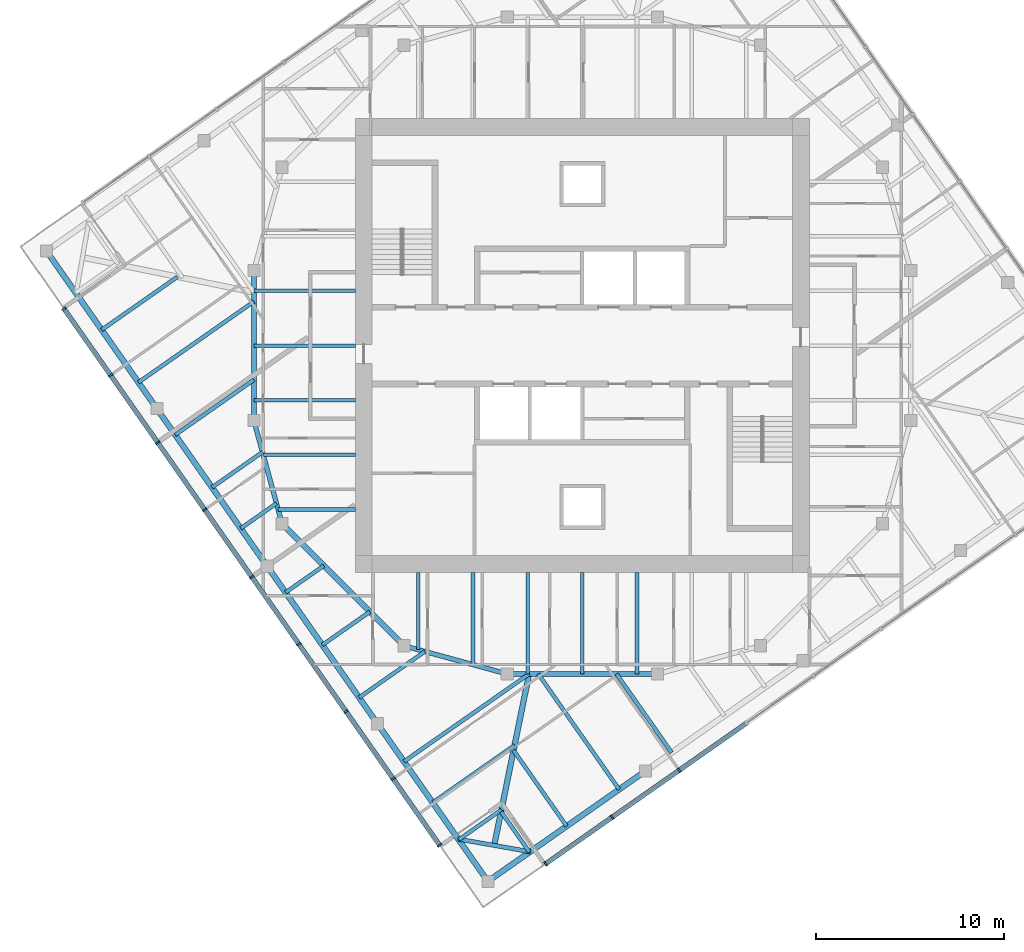
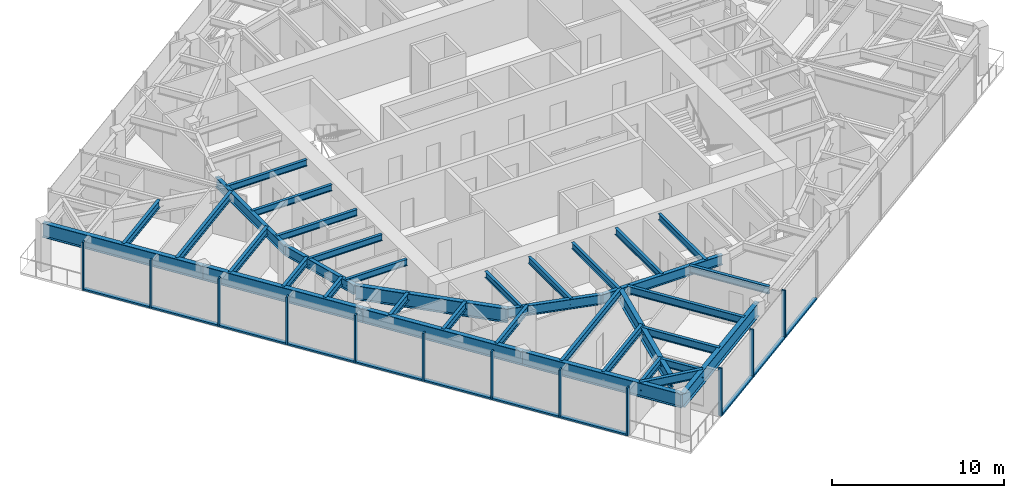
# One storey, part 2 of 12: 37 beams, 23 members, 2 elements without a shape of their own.
"""IFC4 building model written with IfcOpenShell, lengths in metres."""

import ifcopenshell
import ifcopenshell.guid

model = None  # the IFC model being written
_history = None  # IfcOwnerHistory: only IFC2X3 demands one
_inside = {}  # id of a spatial element -> (the spatial element, [elements in it])
_under = {}  # id of a project, library or spatial element -> (it, [spatial elements below it])
_declared = {}  # id of a project -> (the project, [libraries it declares])
_typed = {}  # id of a type object -> (the type object, [elements of that type])
_made_of = {}  # id of a material, layer set ... -> (it, [elements and type objects made of it])


def new_model(schema):
    """Start an empty IFC model of exactly this schema.

    Asked for "IFC4X3", IfcOpenShell would pick the latest addendum, in which some entities
    have other attributes; the version numbers below select the first issue.
    IFC2X3 requires an IfcOwnerHistory on every rooted entity: one is made here for all.
    """
    global model, _history
    if schema == "IFC4X3":
        model = ifcopenshell.file(schema_version=(4, 3, 0, 0))
    else:
        model = ifcopenshell.file(schema=schema)
    _inside.clear()
    _under.clear()
    _declared.clear()
    _typed.clear()
    _made_of.clear()
    _history = None
    if model.schema == "IFC2X3":
        org = make("IfcOrganization", Name="unknown")
        user = make(
            "IfcPersonAndOrganization",
            ThePerson=make("IfcPerson", FamilyName="unknown"),
            TheOrganization=org,
        )
        app = make(
            "IfcApplication",
            ApplicationDeveloper=org,
            Version="unknown",
            ApplicationFullName="unknown",
            ApplicationIdentifier="unknown",
        )
        _history = make(
            "IfcOwnerHistory",
            OwningUser=user,
            OwningApplication=app,
            ChangeAction="ADDED",
            CreationDate=0,
        )
    return model


def make(cls, **values):
    """One entity of the class cls with the attributes given. An attribute that is None is left unset."""
    return model.create_entity(
        cls, **{name: value for name, value in values.items() if value is not None}
    )


def rooted(cls, **values):
    """An entity with a GlobalId (a new one), such as an element, a storey or a relation."""
    return make(cls, GlobalId=ifcopenshell.guid.new(), OwnerHistory=_history, **values)


def si_unit(unit_type, name, prefix=None):
    """IfcSIUnit, for example si_unit("LENGTHUNIT", "METRE", prefix="MILLI")."""
    return make("IfcSIUnit", UnitType=unit_type, Prefix=prefix, Name=name)


def assignment(units):
    """IfcUnitAssignment: the units of a project."""
    return None if units is None else make("IfcUnitAssignment", Units=units)


def point(xyz):
    """IfcCartesianPoint."""
    return None if xyz is None else make("IfcCartesianPoint", Coordinates=xyz)


def direction(xyz):
    """IfcDirection."""
    return None if xyz is None else make("IfcDirection", DirectionRatios=xyz)


def frame(location, z_axis=None, x_axis=None):
    """IfcAxis2Placement3D, a coordinate frame: its origin and axes. An axis left out is left unset."""
    return make(
        "IfcAxis2Placement3D",
        Location=point(location),
        Axis=direction(z_axis),
        RefDirection=direction(x_axis),
    )


def frame_2d(location, x_axis=None):
    """IfcAxis2Placement2D, a coordinate frame in the plane: its origin and x axis."""
    return make(
        "IfcAxis2Placement2D", Location=point(location), RefDirection=direction(x_axis)
    )


def origin():
    """The frame at (0, 0, 0) with its axes left unset."""
    return frame((0.0, 0.0, 0.0))


def origin_2d():
    """The frame at (0, 0) in the plane with its x axis left unset."""
    return frame_2d((0.0, 0.0))


def place(relative_to, where):
    """IfcLocalPlacement: puts the frame where relative to a parent placement (None: the world)."""
    return make(
        "IfcLocalPlacement", PlacementRelTo=relative_to, RelativePlacement=where
    )


def context(
    kind, dimensions, precision=None, world=None, true_north=None, identifier=None
):
    """IfcGeometricRepresentationContext, for example the 3D "Model" context."""
    return make(
        "IfcGeometricRepresentationContext",
        ContextIdentifier=identifier,
        ContextType=kind,
        CoordinateSpaceDimension=dimensions,
        Precision=precision,
        WorldCoordinateSystem=world,
        TrueNorth=true_north,
    )


def subcontext(parent, identifier, kind, view, scale=None):
    """IfcGeometricRepresentationSubContext, for example "Body" below "Model"."""
    return make(
        "IfcGeometricRepresentationSubContext",
        ContextIdentifier=identifier,
        ContextType=kind,
        ParentContext=parent,
        TargetScale=scale,
        TargetView=view,
    )


def project(units=None, contexts=None):
    """IfcProject with its units and contexts."""
    return rooted(
        "IfcProject",
        Name="project",
        RepresentationContexts=contexts,
        UnitsInContext=assignment(units),
    )


def spatial(cls, under=None, at=None, **own):
    """A site, building, storey or space (cls), placed at a placement, below another one or the project."""
    s = rooted(cls, ObjectPlacement=at, **own)
    if under is not None:
        _under.setdefault(under.id(), (under, []))[1].append(s)
    return s


def profile(cls, at=None, kind="AREA", **sizes):
    """A parametric profile (cls). Its sizes go by their IFC names, for example OverallWidth=200.0."""
    return make(cls, ProfileType=kind, Position=at, **sizes)


def rectangle(**sizes):
    """IfcRectangleProfileDef."""
    return profile("IfcRectangleProfileDef", **sizes)


def i_section(**sizes):
    """IfcIShapeProfileDef."""
    return profile("IfcIShapeProfileDef", **sizes)


def extrude(swept, where, along, depth):
    """IfcExtrudedAreaSolid: the profile swept, set in the frame where, extruded along a direction by depth."""
    return make(
        "IfcExtrudedAreaSolid",
        SweptArea=swept,
        Position=where,
        ExtrudedDirection=direction(along),
        Depth=depth,
    )


def shape(context_of_items, identifier, shape_type, items):
    """IfcShapeRepresentation: the items that make up one representation, for example the "Body"."""
    return make(
        "IfcShapeRepresentation",
        ContextOfItems=context_of_items,
        RepresentationIdentifier=identifier,
        RepresentationType=shape_type,
        Items=items,
    )


def material(Name=None, Category=None):
    """IfcMaterial."""
    return make("IfcMaterial", Name=Name, Category=Category)


def material_profile(
    of_material, cross_section, Name=None, Category=None, Priority=None
):
    """IfcMaterialProfile: a cross section and its material."""
    return make(
        "IfcMaterialProfile",
        Name=Name,
        Material=of_material,
        Profile=cross_section,
        Priority=Priority,
        Category=Category,
    )


def profile_set(profiles, Name=None, composite=None):
    """IfcMaterialProfileSet."""
    return make(
        "IfcMaterialProfileSet",
        Name=Name,
        MaterialProfiles=profiles,
        CompositeProfile=composite,
    )


def made_of(thing, what):
    """Note that an element or type object is made of a material, layer set ...; save() writes the relation."""
    if what is not None:
        _made_of.setdefault(what.id(), (what, []))[1].append(thing)
    return thing


def type_object(cls, material=None, **own):
    """A type object (cls), such as IfcWallType, which elements share."""
    return made_of(rooted(cls, **own), material)


def element(
    cls,
    number,
    at=None,
    inside=None,
    cuts=None,
    type_object=None,
    material=None,
    context=None,
    identifier="Body",
    shape_type=None,
    held_by="IfcProductDefinitionShape",
    body=None,
    shapes=None,
    **own,
):
    """One element of the class cls, such as IfcWall. Its Tag is "e" and its number.

    at: its placement. inside: the storey or other place that contains it. cuts: it is an
    opening in that element (IfcRelVoidsElement). A single representation is given by context,
    identifier, shape_type and body (its items); several are given by shapes. held_by: the class
    of the entity that holds the representations. save() writes the other relations.
    """
    e = rooted(cls, Tag="e%d" % number, ObjectPlacement=at, **own)
    if body is not None:
        shapes = [shape(context, identifier, shape_type, body)]
    if shapes is not None:
        e.Representation = make(held_by, Representations=shapes)
    if inside is not None:
        _inside.setdefault(inside.id(), (inside, []))[1].append(e)
    if cuts is not None:
        rooted(
            "IfcRelVoidsElement", RelatingBuildingElement=cuts, RelatedOpeningElement=e
        )
    if type_object is not None:
        _typed.setdefault(type_object.id(), (type_object, []))[1].append(e)
    return made_of(e, material)


def aggregate(whole, parts):
    """IfcRelAggregates: a whole, such as a stair, and the parts it consists of."""
    return rooted("IfcRelAggregates", RelatingObject=whole, RelatedObjects=parts)


def save(model, path):
    """Write the relations noted so far, then the file.

    IfcRelAggregates (storeys below a building ...), IfcRelContainedInSpatialStructure (elements
    in a storey), IfcRelDefinesByType, IfcRelAssociatesMaterial and IfcRelDeclares: one each for
    every whole, place, type object, material and project.
    """
    for whole, parts in _under.values():
        aggregate(whole, parts)
    for where, things in _inside.values():
        rooted(
            "IfcRelContainedInSpatialStructure",
            RelatedElements=things,
            RelatingStructure=where,
        )
    for kind, things in _typed.values():
        rooted("IfcRelDefinesByType", RelatedObjects=things, RelatingType=kind)
    for what, things in _made_of.values():
        rooted("IfcRelAssociatesMaterial", RelatedObjects=things, RelatingMaterial=what)
    for by, libraries in _declared.values():
        rooted("IfcRelDeclares", RelatingContext=by, RelatedDefinitions=libraries)
    model.write(path)


model = new_model("IFC4")

# Units and contexts
model_context = context("Model", 3, precision=1e-05, world=origin(), true_north=direction((0.0, 1.0)))
body_context = subcontext(model_context, "Body", "Model", "MODEL_VIEW")
ifc_project = project(units=[si_unit("LENGTHUNIT", "METRE"), si_unit("AREAUNIT", "SQUARE_METRE"), si_unit("VOLUMEUNIT", "CUBIC_METRE"), si_unit("PLANEANGLEUNIT", "RADIAN"), si_unit("MASSUNIT", "GRAM", prefix="KILO")], contexts=[model_context])

# Site, building, storey
site_placement = place(None, origin())
site = spatial("IfcSite", under=ifc_project, at=site_placement, CompositionType="ELEMENT")
building_placement = place(site_placement, origin())
building = spatial("IfcBuilding", under=site, at=building_placement, Name="Torsade Residences", CompositionType="ELEMENT")
storey_placement = place(building_placement, frame((0.0, 0.0, 240.39990234375)))
storey = spatial("IfcBuildingStorey", under=building, at=storey_placement, Name="L66", CompositionType="ELEMENT", Elevation=240.39990234375)

# Beams
ifc_material_1 = material(Name="Steel grade 300", Category="steel")
ifc_material_profile_1 = material_profile(ifc_material_1, i_section(OverallWidth=0.300048828125, OverallDepth=0.89990234375, WebThickness=0.011962890625, FlangeThickness=0.02490234375, at=origin_2d()), Name="900WB175")
ifc_profile_set_1 = profile_set([ifc_material_profile_1], Name="Steel grade 300")
beam_type_1 = type_object("IfcBeamType", Name="CORNER GIRDER 900WB175", PredefinedType="BEAM", material=ifc_profile_set_1)
beam_1_placement = place(storey_placement, frame((35.303466796875, 3.364013671875, 2.800048828125), z_axis=(0.199584461589, 0.979880626756, 0.0), x_axis=(-0.979880626756, 0.199584461589, 0.0)))
element("IfcBeam", 1, at=beam_1_placement, inside=storey, type_object=beam_type_1, Name="Corner girder 01 L67", PredefinedType="BEAM", context=body_context, shape_type="SweptSolid", body=[
    extrude(i_section(OverallWidth=0.300048828125, OverallDepth=0.89990234375, WebThickness=0.011962890625, FlangeThickness=0.02490234375, at=origin_2d()), origin(), (0.0, 0.0, 1.0), 9.323486328125),
])
ifc_material_2 = material(Name="Steel grade 300", Category="steel")
ifc_material_profile_2 = material_profile(ifc_material_2, i_section(OverallWidth=0.22802734375, OverallDepth=0.60205078125, WebThickness=0.010498046875, FlangeThickness=0.014892578125, FilletRadius=0.013916015625, at=origin_2d()), Name="610UB101")
ifc_profile_set_2 = profile_set([ifc_material_profile_2], Name="Steel grade 300")
beam_type_2 = type_object("IfcBeamType", Name="CORNER TRIMMER 610UB101", PredefinedType="BEAM", material=ifc_profile_set_2)
beam_2_placement = place(storey_placement, frame((37.21826171875, 3.0263671875, 2.94921875), z_axis=(-0.984808196894, 0.173645660267, 0.0), x_axis=(-0.173645660267, -0.984808196894, 0.0)))
element("IfcBeam", 2, at=beam_2_placement, inside=storey, type_object=beam_type_2, Name="Corner trimmer 01 L67", PredefinedType="BEAM", context=body_context, shape_type="SweptSolid", body=[
    extrude(i_section(OverallWidth=0.22802734375, OverallDepth=0.60205078125, WebThickness=0.010498046875, FlangeThickness=0.014892578125, FilletRadius=0.013916015625, at=origin_2d()), origin(), (0.0, 0.0, 1.0), 3.888916015625),
])
ifc_material_3 = material(Name="Steel grade 300", Category="steel")
ifc_material_profile_3 = material_profile(ifc_material_3, i_section(OverallWidth=0.300048828125, OverallDepth=1.0, WebThickness=0.01611328125, FlangeThickness=0.028076171875, at=origin_2d()), Name="1000WB215")
ifc_profile_set_3 = profile_set([ifc_material_profile_3], Name="Steel grade 300")
beam_type_3 = type_object("IfcBeamType", Name="EDGE BEAM 1000WB215", PredefinedType="SPANDREL", material=ifc_profile_set_3)
for number, where, z_axis, x_axis, name in (
    (3, (34.9658203125, 1.448974609375, 2.75), (0.819150225126, 0.573579034377, 0.0), (-0.573579034377, 0.819150225126, 0.0), "Edge beam 01 L67"),
    (4, (11.448974609375, 35.0341796875, 2.75), (0.573579034377, -0.819150225126, 0.0), (0.819150225126, 0.573579034377, 0.0), "Edge beam 13 L67"),
    (5, (17.328125, 26.637939453125, 2.75), (0.573579034377, -0.819150225126, 0.0), (0.819150225126, 0.573579034377, 0.0), "Edge beam 14 L67"),
    (6, (23.207275390625, 18.24169921875, 2.75), (0.573579034377, -0.819150225126, 0.0), (0.819150225126, 0.573579034377, 0.0), "Edge beam 15 L67"),
):
    element("IfcBeam", number, at=place(storey_placement, frame(where, z_axis=z_axis, x_axis=x_axis)), inside=storey, type_object=beam_type_3, Name=name, PredefinedType="SPANDREL", context=body_context, shape_type="SweptSolid", body=[
        extrude(i_section(OverallWidth=0.300048828125, OverallDepth=1.0, WebThickness=0.01611328125, FlangeThickness=0.028076171875, at=origin_2d()), origin(), (0.0, 0.0, 1.0), 10.25),
    ])
beam_3_placement = place(storey_placement, frame((29.08642578125, 9.845458984375, 2.75), z_axis=(0.573583825578, -0.819146870247, 0.0), x_axis=(0.819146870247, 0.573583825578, 0.0)))
element("IfcBeam", 7, at=beam_3_placement, inside=storey, type_object=beam_type_3, Name="Edge beam 16 L67", PredefinedType="SPANDREL", context=body_context, shape_type="SweptSolid", body=[
    extrude(i_section(OverallWidth=0.300048828125, OverallDepth=1.0, WebThickness=0.01611328125, FlangeThickness=0.028076171875, at=origin_2d()), origin(), (0.0, 0.0, 1.0), 10.250244140625),
])

# Curtain wall, members
ifc_material_4 = material(Name="Aluminium and glass", Category="aluminium")
curtain_wall_type = type_object("IfcCurtainWallType", Name="FRITTED GLASS CURTAIN WALL HIGH ZONE", PredefinedType="NOTDEFINED", material=ifc_material_4)
curtain_wall_1_placement = place(storey_placement, origin())
curtain_wall_1 = element("IfcCurtainWall", 8, at=curtain_wall_1_placement, inside=storey, type_object=curtain_wall_type, Name="Curtain wall L66 face 1", PredefinedType="NOTDEFINED")
ifc_material_5 = material(Name="Aluminium mullion", Category="aluminium")
ifc_material_profile_4 = material_profile(ifc_material_5, rectangle(XDim=0.25, YDim=0.10009765625, at=origin_2d()), Name="HIGH ZONE CURTAIN WALL MULLION 250x100")
ifc_profile_set_4 = profile_set([ifc_material_profile_4], Name="Aluminium mullion")
member_type_1 = type_object("IfcMemberType", Name="HIGH ZONE CURTAIN WALL MULLION 250x100", PredefinedType="MULLION", material=ifc_profile_set_4)
member_1_placement = place(storey_placement, frame((38.03759765625, 2.37939453125, 0.0), z_axis=(0.0, 0.0, 1.0), x_axis=(-0.573576457682, 0.819152029353, 0.0)))
member_1 = element("IfcMember", 9, at=member_1_placement, type_object=member_type_1, Name="Mullion 1", PredefinedType="MULLION", context=body_context, shape_type="SweptSolid", body=[
    extrude(rectangle(XDim=0.25, YDim=0.10009765625, at=origin_2d()), origin(), (0.0, 0.0, 1.0), 3.400146484375),
])
member_2_placement = place(storey_placement, frame((41.58056640625, 4.860107421875, 0.0), z_axis=(0.0, 0.0, 1.0), x_axis=(-0.573576457682, 0.819152029353, 0.0)))
member_2 = element("IfcMember", 10, at=member_2_placement, type_object=member_type_1, Name="Mullion 2", PredefinedType="MULLION", context=body_context, shape_type="SweptSolid", body=[
    extrude(rectangle(XDim=0.25, YDim=0.10009765625, at=origin_2d()), origin(), (0.0, 0.0, 1.0), 3.400146484375),
])
member_3_placement = place(storey_placement, frame((45.164306640625, 7.369384765625, 0.0), z_axis=(0.0, 0.0, 1.0), x_axis=(-0.573576457682, 0.819152029353, 0.0)))
member_3 = element("IfcMember", 11, at=member_3_placement, type_object=member_type_1, Name="Mullion 3", PredefinedType="MULLION", context=body_context, shape_type="SweptSolid", body=[
    extrude(rectangle(XDim=0.25, YDim=0.10009765625, at=origin_2d()), origin(), (0.0, 0.0, 1.0), 3.400146484375),
])

curtain_wall_2_placement = place(storey_placement, origin())
curtain_wall_2 = element("IfcCurtainWall", 12, at=curtain_wall_2_placement, inside=storey, type_object=curtain_wall_type, Name="Curtain wall L66 face 10", PredefinedType="NOTDEFINED")
member_4_placement = place(storey_placement, frame((12.37939453125, 31.96240234375, 0.0), z_axis=(0.0, 0.0, 1.0), x_axis=(0.819152029353, 0.573576457682, 0.0)))
member_4 = element("IfcMember", 13, at=member_4_placement, type_object=member_type_1, Name="Mullion 1", PredefinedType="MULLION", context=body_context, shape_type="SweptSolid", body=[
    extrude(rectangle(XDim=0.25, YDim=0.10009765625, at=origin_2d()), origin(), (0.0, 0.0, 1.0), 3.400146484375),
])
member_5_placement = place(storey_placement, frame((14.860107421875, 28.41943359375, 0.0), z_axis=(0.0, 0.0, 1.0), x_axis=(0.819152029353, 0.573576457682, 0.0)))
member_5 = element("IfcMember", 14, at=member_5_placement, type_object=member_type_1, Name="Mullion 2", PredefinedType="MULLION", context=body_context, shape_type="SweptSolid", body=[
    extrude(rectangle(XDim=0.25, YDim=0.10009765625, at=origin_2d()), origin(), (0.0, 0.0, 1.0), 3.400146484375),
])
member_6_placement = place(storey_placement, frame((17.369384765625, 24.835693359375, 0.0), z_axis=(0.0, 0.0, 1.0), x_axis=(0.819152029353, 0.573576457682, 0.0)))
member_6 = element("IfcMember", 15, at=member_6_placement, type_object=member_type_1, Name="Mullion 3", PredefinedType="MULLION", context=body_context, shape_type="SweptSolid", body=[
    extrude(rectangle(XDim=0.25, YDim=0.10009765625, at=origin_2d()), origin(), (0.0, 0.0, 1.0), 3.400146484375),
])
member_7_placement = place(storey_placement, frame((19.87890625, 21.251953125, 0.0), z_axis=(0.0, 0.0, 1.0), x_axis=(0.819152029353, 0.573576457682, 0.0)))
member_7 = element("IfcMember", 16, at=member_7_placement, type_object=member_type_1, Name="Mullion 4", PredefinedType="MULLION", context=body_context, shape_type="SweptSolid", body=[
    extrude(rectangle(XDim=0.25, YDim=0.10009765625, at=origin_2d()), origin(), (0.0, 0.0, 1.0), 3.400146484375),
])
member_8_placement = place(storey_placement, frame((22.38818359375, 17.668212890625, 0.0), z_axis=(0.0, 0.0, 1.0), x_axis=(0.819152029353, 0.573576457682, 0.0)))
member_8 = element("IfcMember", 17, at=member_8_placement, type_object=member_type_1, Name="Mullion 5", PredefinedType="MULLION", context=body_context, shape_type="SweptSolid", body=[
    extrude(rectangle(XDim=0.25, YDim=0.10009765625, at=origin_2d()), origin(), (0.0, 0.0, 1.0), 3.400146484375),
])
member_9_placement = place(storey_placement, frame((24.897705078125, 14.084228515625, 0.0), z_axis=(0.0, 0.0, 1.0), x_axis=(0.819152029353, 0.573576457682, 0.0)))
member_9 = element("IfcMember", 18, at=member_9_placement, type_object=member_type_1, Name="Mullion 6", PredefinedType="MULLION", context=body_context, shape_type="SweptSolid", body=[
    extrude(rectangle(XDim=0.25, YDim=0.10009765625, at=origin_2d()), origin(), (0.0, 0.0, 1.0), 3.400146484375),
])
member_10_placement = place(storey_placement, frame((27.406982421875, 10.50048828125, 0.0), z_axis=(0.0, 0.0, 1.0), x_axis=(0.819152029353, 0.573576457682, 0.0)))
member_10 = element("IfcMember", 19, at=member_10_placement, type_object=member_type_1, Name="Mullion 7", PredefinedType="MULLION", context=body_context, shape_type="SweptSolid", body=[
    extrude(rectangle(XDim=0.25, YDim=0.10009765625, at=origin_2d()), origin(), (0.0, 0.0, 1.0), 3.400146484375),
])
member_11_placement = place(storey_placement, frame((29.91650390625, 6.916748046875, 0.0), z_axis=(0.0, 0.0, 1.0), x_axis=(0.819152029353, 0.573576457682, 0.0)))
member_11 = element("IfcMember", 20, at=member_11_placement, type_object=member_type_1, Name="Mullion 8", PredefinedType="MULLION", context=body_context, shape_type="SweptSolid", body=[
    extrude(rectangle(XDim=0.25, YDim=0.10009765625, at=origin_2d()), origin(), (0.0, 0.0, 1.0), 3.400146484375),
])
member_12_placement = place(storey_placement, frame((32.397216796875, 3.3740234375, 0.0), z_axis=(0.0, 0.0, 1.0), x_axis=(0.819152029353, 0.573576457682, 0.0)))
member_12 = element("IfcMember", 21, at=member_12_placement, type_object=member_type_1, Name="Mullion 9", PredefinedType="MULLION", context=body_context, shape_type="SweptSolid", body=[
    extrude(rectangle(XDim=0.25, YDim=0.10009765625, at=origin_2d()), origin(), (0.0, 0.0, 1.0), 3.400146484375),
])

# Member
ifc_material_6 = material(Name="Aluminium transom", Category="aluminium")
ifc_material_profile_5 = material_profile(ifc_material_6, rectangle(XDim=0.25, YDim=0.1201171875, at=origin_2d()), Name="HIGH ZONE CURTAIN WALL TRANSOM 250x120")
ifc_profile_set_5 = profile_set([ifc_material_profile_5], Name="Aluminium transom")
member_type_2 = type_object("IfcMemberType", Name="HIGH ZONE CURTAIN WALL TRANSOM 250x120", PredefinedType="USERDEFINED", material=ifc_profile_set_5)
member_13_placement = place(storey_placement, frame((38.07861328125, 2.407958984375, 0.06005859375), z_axis=(0.819155901234, 0.573570928023, 0.0), x_axis=(-0.573570928023, 0.819155901234, 0.0)))
member_13 = element("IfcMember", 22, at=member_13_placement, type_object=member_type_2, Name="Transom 1.1", ObjectType="TRANSOM", PredefinedType="USERDEFINED", context=body_context, shape_type="SweptSolid", body=[
    extrude(rectangle(XDim=0.25, YDim=0.1201171875, at=origin_2d()), origin(), (0.0, 0.0, 1.0), 4.22509765625),
])

member_14_placement = place(storey_placement, frame((41.62158203125, 4.888671875, 0.06005859375), z_axis=(0.819127269283, 0.573611817101, 0.0), x_axis=(-0.573611817101, 0.819127269283, 0.0)))
member_14 = element("IfcMember", 23, at=member_14_placement, type_object=member_type_2, Name="Transom 2.1", ObjectType="TRANSOM", PredefinedType="USERDEFINED", context=body_context, shape_type="SweptSolid", body=[
    extrude(rectangle(XDim=0.25, YDim=0.1201171875, at=origin_2d()), origin(), (0.0, 0.0, 1.0), 4.27490234375),
])

member_15_placement = place(storey_placement, frame((45.205322265625, 7.398193359375, 0.06005859375), z_axis=(0.819154102984, 0.573573496219, 0.0), x_axis=(-0.573573496219, 0.819154102984, 0.0)))
member_15 = element("IfcMember", 24, at=member_15_placement, type_object=member_type_2, Name="Transom 3.1", ObjectType="TRANSOM", PredefinedType="USERDEFINED", context=body_context, shape_type="SweptSolid", body=[
    extrude(rectangle(XDim=0.25, YDim=0.1201171875, at=origin_2d()), origin(), (0.0, 0.0, 1.0), 4.27490234375),
])

aggregate(curtain_wall_1, [member_1, member_2, member_3, member_13, member_14, member_15])

member_16_placement = place(storey_placement, frame((12.407958984375, 31.92138671875, 0.06005859375), z_axis=(0.573570928023, -0.819155901234, 0.0), x_axis=(0.819155901234, 0.573570928023, 0.0)))
member_16 = element("IfcMember", 25, at=member_16_placement, type_object=member_type_2, Name="Transom 1.1", ObjectType="TRANSOM", PredefinedType="USERDEFINED", context=body_context, shape_type="SweptSolid", body=[
    extrude(rectangle(XDim=0.25, YDim=0.1201171875, at=origin_2d()), origin(), (0.0, 0.0, 1.0), 4.22509765625),
])

member_17_placement = place(storey_placement, frame((14.888671875, 28.37841796875, 0.06005859375), z_axis=(0.573611817101, -0.819127269283, 0.0), x_axis=(0.819127269283, 0.573611817101, 0.0)))
member_17 = element("IfcMember", 26, at=member_17_placement, type_object=member_type_2, Name="Transom 2.1", ObjectType="TRANSOM", PredefinedType="USERDEFINED", context=body_context, shape_type="SweptSolid", body=[
    extrude(rectangle(XDim=0.25, YDim=0.1201171875, at=origin_2d()), origin(), (0.0, 0.0, 1.0), 4.27490234375),
])

member_18_placement = place(storey_placement, frame((17.398193359375, 24.794677734375, 0.06005859375), z_axis=(0.573573496219, -0.819154102984, 0.0), x_axis=(0.819154102984, 0.573573496219, 0.0)))
member_18 = element("IfcMember", 27, at=member_18_placement, type_object=member_type_2, Name="Transom 3.1", ObjectType="TRANSOM", PredefinedType="USERDEFINED", context=body_context, shape_type="SweptSolid", body=[
    extrude(rectangle(XDim=0.25, YDim=0.1201171875, at=origin_2d()), origin(), (0.0, 0.0, 1.0), 4.27490234375),
])

member_19_placement = place(storey_placement, frame((19.907470703125, 21.2109375, 0.06005859375), z_axis=(0.57358498433, -0.819146058863, 0.0), x_axis=(0.819146058863, 0.57358498433, 0.0)))
member_19 = element("IfcMember", 28, at=member_19_placement, type_object=member_type_2, Name="Transom 4.1", ObjectType="TRANSOM", PredefinedType="USERDEFINED", context=body_context, shape_type="SweptSolid", body=[
    extrude(rectangle(XDim=0.25, YDim=0.1201171875, at=origin_2d()), origin(), (0.0, 0.0, 1.0), 4.275146484375),
])

member_20_placement = place(storey_placement, frame((22.4169921875, 17.627197265625, 0.06005859375), z_axis=(0.573546663483, -0.81917289067, 0.0), x_axis=(0.81917289067, 0.573546663483, 0.0)))
member_20 = element("IfcMember", 29, at=member_20_placement, type_object=member_type_2, Name="Transom 5.1", ObjectType="TRANSOM", PredefinedType="USERDEFINED", context=body_context, shape_type="SweptSolid", body=[
    extrude(rectangle(XDim=0.25, YDim=0.1201171875, at=origin_2d()), origin(), (0.0, 0.0, 1.0), 4.27490234375),
])

member_21_placement = place(storey_placement, frame((24.92626953125, 14.04345703125, 0.06005859375), z_axis=(0.57358498433, -0.819146058863, 0.0), x_axis=(0.819146058863, 0.57358498433, 0.0)))
member_21 = element("IfcMember", 30, at=member_21_placement, type_object=member_type_2, Name="Transom 6.1", ObjectType="TRANSOM", PredefinedType="USERDEFINED", context=body_context, shape_type="SweptSolid", body=[
    extrude(rectangle(XDim=0.25, YDim=0.1201171875, at=origin_2d()), origin(), (0.0, 0.0, 1.0), 4.275146484375),
])

member_22_placement = place(storey_placement, frame((27.435791015625, 10.45947265625, 0.06005859375), z_axis=(0.573573496219, -0.819154102984, 0.0), x_axis=(0.819154102984, 0.573573496219, 0.0)))
member_22 = element("IfcMember", 31, at=member_22_placement, type_object=member_type_2, Name="Transom 7.1", ObjectType="TRANSOM", PredefinedType="USERDEFINED", context=body_context, shape_type="SweptSolid", body=[
    extrude(rectangle(XDim=0.25, YDim=0.1201171875, at=origin_2d()), origin(), (0.0, 0.0, 1.0), 4.27490234375),
])

member_23_placement = place(storey_placement, frame((29.945068359375, 6.875732421875, 0.06005859375), z_axis=(0.573570928023, -0.819155901234, 0.0), x_axis=(0.819155901234, 0.573570928023, 0.0)))
member_23 = element("IfcMember", 32, at=member_23_placement, type_object=member_type_2, Name="Transom 8.1", ObjectType="TRANSOM", PredefinedType="USERDEFINED", context=body_context, shape_type="SweptSolid", body=[
    extrude(rectangle(XDim=0.25, YDim=0.1201171875, at=origin_2d()), origin(), (0.0, 0.0, 1.0), 4.22509765625),
])

aggregate(curtain_wall_2, [member_4, member_5, member_6, member_7, member_8, member_9, member_10, member_11, member_12, member_16, member_17, member_18, member_19, member_20, member_21, member_22, member_23])

# Beams
ifc_material_7 = material(Name="Steel grade 300", Category="steel")
ifc_material_profile_6 = material_profile(ifc_material_7, i_section(OverallWidth=0.18994140625, OverallDepth=0.4541015625, WebThickness=0.008544921875, FlangeThickness=0.0126953125, FilletRadius=0.011474609375, at=origin_2d()), Name="460UB67.1")
ifc_profile_set_6 = profile_set([ifc_material_profile_6], Name="Steel grade 300")
beam_type_4 = type_object("IfcBeamType", Name="INNER FLOOR BEAM 460UB67.1", PredefinedType="JOIST", material=ifc_profile_set_6)
for number, where, z_axis, x_axis, name in (
    (33, (42.91259765625, 17.89990234375, 3.023193359375), (0.0, -1.0, 0.0), (1.0, 0.0, 0.0), "Inner floor beam IS03 L67"),
    (34, (40.0, 17.89990234375, 3.023193359375), (0.0, -1.0, 0.0), (1.0, 0.0, 0.0), "Inner floor beam IS04 L67"),
    (35, (37.08740234375, 17.89990234375, 3.023193359375), (0.0, -1.0, 0.0), (1.0, 0.0, 0.0), "Inner floor beam IS05 L67"),
):
    element("IfcBeam", number, at=place(storey_placement, frame(where, z_axis=z_axis, x_axis=x_axis)), inside=storey, type_object=beam_type_4, Name=name, PredefinedType="JOIST", context=body_context, shape_type="SweptSolid", body=[
        extrude(i_section(OverallWidth=0.18994140625, OverallDepth=0.4541015625, WebThickness=0.008544921875, FlangeThickness=0.0126953125, FilletRadius=0.011474609375, at=origin_2d()), origin(), (0.0, 0.0, 1.0), 5.39990234375),
    ])
beam_4_placement = place(storey_placement, frame((34.175048828125, 17.89990234375, 3.023193359375), z_axis=(0.0, -1.0, 0.0), x_axis=(1.0, 0.0, 0.0)))
element("IfcBeam", 36, at=beam_4_placement, inside=storey, type_object=beam_type_4, Name="Inner floor beam IS06 L67", PredefinedType="JOIST", context=body_context, shape_type="SweptSolid", body=[
    extrude(i_section(OverallWidth=0.18994140625, OverallDepth=0.4541015625, WebThickness=0.008544921875, FlangeThickness=0.0126953125, FilletRadius=0.011474609375, at=origin_2d()), origin(), (0.0, 0.0, 1.0), 4.902099609375),
])
beam_5_placement = place(storey_placement, frame((31.262451171875, 17.89990234375, 3.023193359375), z_axis=(0.0, -1.0, 0.0), x_axis=(1.0, 0.0, 0.0)))
element("IfcBeam", 37, at=beam_5_placement, inside=storey, type_object=beam_type_4, Name="Inner floor beam IS07 L67", PredefinedType="JOIST", context=body_context, shape_type="SweptSolid", body=[
    extrude(i_section(OverallWidth=0.18994140625, OverallDepth=0.4541015625, WebThickness=0.008544921875, FlangeThickness=0.0126953125, FilletRadius=0.011474609375, at=origin_2d()), origin(), (0.0, 0.0, 1.0), 4.10791015625),
])
for number, where, z_axis, x_axis, name in (
    (38, (27.89990234375, 32.91259765625, 3.023193359375), (-1.0, 0.0, 0.0), (0.0, -1.0, 0.0), "Inner floor beam IW03 L67"),
    (39, (27.89990234375, 30.0, 3.023193359375), (-1.0, 0.0, 0.0), (0.0, -1.0, 0.0), "Inner floor beam IW04 L67"),
    (40, (27.89990234375, 27.08740234375, 3.023193359375), (-1.0, 0.0, 0.0), (0.0, -1.0, 0.0), "Inner floor beam IW05 L67"),
):
    element("IfcBeam", number, at=place(storey_placement, frame(where, z_axis=z_axis, x_axis=x_axis)), inside=storey, type_object=beam_type_4, Name=name, PredefinedType="JOIST", context=body_context, shape_type="SweptSolid", body=[
        extrude(i_section(OverallWidth=0.18994140625, OverallDepth=0.4541015625, WebThickness=0.008544921875, FlangeThickness=0.0126953125, FilletRadius=0.011474609375, at=origin_2d()), origin(), (0.0, 0.0, 1.0), 5.39990234375),
    ])
beam_6_placement = place(storey_placement, frame((27.89990234375, 24.175048828125, 3.023193359375), z_axis=(-1.0, 0.0, 0.0), x_axis=(0.0, -1.0, 0.0)))
element("IfcBeam", 41, at=beam_6_placement, inside=storey, type_object=beam_type_4, Name="Inner floor beam IW06 L67", PredefinedType="JOIST", context=body_context, shape_type="SweptSolid", body=[
    extrude(i_section(OverallWidth=0.18994140625, OverallDepth=0.4541015625, WebThickness=0.008544921875, FlangeThickness=0.0126953125, FilletRadius=0.011474609375, at=origin_2d()), origin(), (0.0, 0.0, 1.0), 4.902099609375),
])
beam_7_placement = place(storey_placement, frame((27.89990234375, 21.262451171875, 3.023193359375), z_axis=(-1.0, 0.0, 0.0), x_axis=(0.0, -1.0, 0.0)))
element("IfcBeam", 42, at=beam_7_placement, inside=storey, type_object=beam_type_4, Name="Inner floor beam IW07 L67", PredefinedType="JOIST", context=body_context, shape_type="SweptSolid", body=[
    extrude(i_section(OverallWidth=0.18994140625, OverallDepth=0.4541015625, WebThickness=0.008544921875, FlangeThickness=0.0126953125, FilletRadius=0.011474609375, at=origin_2d()), origin(), (0.0, 0.0, 1.0), 4.10791015625),
])
ifc_material_8 = material(Name="Steel grade 300", Category="steel")
ifc_material_profile_7 = material_profile(ifc_material_8, i_section(OverallWidth=0.300048828125, OverallDepth=1.0, WebThickness=0.01611328125, FlangeThickness=0.028076171875, at=origin_2d()), Name="1000WB215")
ifc_profile_set_7 = profile_set([ifc_material_profile_7], Name="Steel grade 300")
beam_type_5 = type_object("IfcBeamType", Name="RING CORNER GIRDER 1000WB215", PredefinedType="BEAM", material=ifc_profile_set_7)
beam_8_placement = place(storey_placement, frame((24.0, 20.5, 2.75), z_axis=(0.707106781187, -0.707106781187, 0.0), x_axis=(0.707106781187, 0.707106781187, 0.0)))
element("IfcBeam", 43, at=beam_8_placement, inside=storey, type_object=beam_type_5, Name="Ring girder IR11 L67", PredefinedType="BEAM", context=body_context, shape_type="SweptSolid", body=[
    extrude(i_section(OverallWidth=0.300048828125, OverallDepth=1.0, WebThickness=0.01611328125, FlangeThickness=0.028076171875, at=origin_2d()), origin(), (0.0, 0.0, 1.0), 9.1923828125),
])
ifc_material_9 = material(Name="Steel grade 300", Category="steel")
ifc_material_profile_8 = material_profile(ifc_material_9, i_section(OverallWidth=0.25, OverallDepth=0.699951171875, WebThickness=0.010009765625, FlangeThickness=0.02001953125, at=origin_2d()), Name="700WB130")
ifc_profile_set_8 = profile_set([ifc_material_profile_8], Name="Steel grade 300")
beam_type_6 = type_object("IfcBeamType", Name="RING GIRDER 700WB130", PredefinedType="BEAM", material=ifc_profile_set_8)
beam_9_placement = place(storey_placement, frame((22.5, 34.0, 2.900146484375), z_axis=(0.0, -1.0, 0.0), x_axis=(1.0, 0.0, 0.0)))
element("IfcBeam", 44, at=beam_9_placement, inside=storey, type_object=beam_type_6, Name="Ring girder IR09 L67", PredefinedType="BEAM", context=body_context, shape_type="SweptSolid", body=[
    extrude(i_section(OverallWidth=0.25, OverallDepth=0.699951171875, WebThickness=0.010009765625, FlangeThickness=0.02001953125, at=origin_2d()), origin(), (0.0, 0.0, 1.0), 8.0),
])
for number, where, z_axis, x_axis, name in (
    (45, (22.5, 26.0, 2.900146484375), (0.263117405792, -0.964763821238, 0.0), (0.964763821238, 0.263117405792, 0.0), "Ring girder IR10 L67"),
    (46, (30.5, 14.0, 2.900146484375), (0.964763821238, -0.263117405792, 0.0), (0.263117405792, 0.964763821238, 0.0), "Ring girder IR12 L67"),
):
    element("IfcBeam", number, at=place(storey_placement, frame(where, z_axis=z_axis, x_axis=x_axis)), inside=storey, type_object=beam_type_6, Name=name, PredefinedType="BEAM", context=body_context, shape_type="SweptSolid", body=[
        extrude(i_section(OverallWidth=0.25, OverallDepth=0.699951171875, WebThickness=0.010009765625, FlangeThickness=0.02001953125, at=origin_2d()), origin(), (0.0, 0.0, 1.0), 5.700927734375),
    ])
beam_10_placement = place(storey_placement, frame((36.0, 12.5, 2.900146484375), z_axis=(1.0, 0.0, 0.0), x_axis=(0.0, 1.0, 0.0)))
element("IfcBeam", 47, at=beam_10_placement, inside=storey, type_object=beam_type_6, Name="Ring girder IR13 L67", PredefinedType="BEAM", context=body_context, shape_type="SweptSolid", body=[
    extrude(i_section(OverallWidth=0.25, OverallDepth=0.699951171875, WebThickness=0.010009765625, FlangeThickness=0.02001953125, at=origin_2d()), origin(), (0.0, 0.0, 1.0), 8.0),
])
ifc_material_10 = material(Name="Steel grade 300", Category="steel")
ifc_material_profile_9 = material_profile(ifc_material_10, i_section(OverallWidth=0.208984375, OverallDepth=0.532958984375, WebThickness=0.01025390625, FlangeThickness=0.015625, FilletRadius=0.013916015625, at=origin_2d()), Name="530UB92.4")
ifc_profile_set_9 = profile_set([ifc_material_profile_9], Name="Steel grade 300")
beam_type_7 = type_object("IfcBeamType", Name="SECONDARY BEAM 530UB92.4", PredefinedType="JOIST", material=ifc_profile_set_9)
beam_11_placement = place(storey_placement, frame((37.184326171875, 3.00244140625, 2.983642578125), z_axis=(-0.573592685254, 0.819140666445, 0.0), x_axis=(-0.819140666445, -0.573592685254, 0.0)))
element("IfcBeam", 48, at=beam_11_placement, inside=storey, type_object=beam_type_7, Name="Floor beam FS01 L67", PredefinedType="JOIST", context=body_context, shape_type="SweptSolid", body=[
    extrude(i_section(OverallWidth=0.208984375, OverallDepth=0.532958984375, WebThickness=0.01025390625, FlangeThickness=0.015625, FilletRadius=0.013916015625, at=origin_2d()), origin(), (0.0, 0.0, 1.0), 2.639892578125),
])
beam_12_placement = place(storey_placement, frame((39.163818359375, 4.388671875, 2.983642578125), z_axis=(-0.573575295634, 0.819152843027, 0.0), x_axis=(-0.819152843027, -0.573575295634, 0.0)))
element("IfcBeam", 49, at=beam_12_placement, inside=storey, type_object=beam_type_7, Name="Floor beam FS02 L67", PredefinedType="JOIST", context=body_context, shape_type="SweptSolid", body=[
    extrude(i_section(OverallWidth=0.208984375, OverallDepth=0.532958984375, WebThickness=0.01025390625, FlangeThickness=0.015625, FilletRadius=0.013916015625, at=origin_2d()), origin(), (0.0, 0.0, 1.0), 4.931884765625),
])
beam_13_placement = place(storey_placement, frame((41.962646484375, 6.348388671875, 2.983642578125), z_axis=(-0.573573614851, 0.819154019917, 0.0), x_axis=(-0.819154019917, -0.573573614851, 0.0)))
element("IfcBeam", 50, at=beam_13_placement, inside=storey, type_object=beam_type_7, Name="Floor beam FS03 L67", PredefinedType="JOIST", context=body_context, shape_type="SweptSolid", body=[
    extrude(i_section(OverallWidth=0.208984375, OverallDepth=0.532958984375, WebThickness=0.01025390625, FlangeThickness=0.015625, FilletRadius=0.013916015625, at=origin_2d()), origin(), (0.0, 0.0, 1.0), 7.509765625),
])
beam_14_placement = place(storey_placement, frame((44.761474609375, 8.30810546875, 2.983642578125), z_axis=(-0.573590411882, 0.819142258339, 0.0), x_axis=(-0.819142258339, -0.573590411882, 0.0)))
element("IfcBeam", 51, at=beam_14_placement, inside=storey, type_object=beam_type_7, Name="Floor beam FS04 L67", PredefinedType="JOIST", context=body_context, shape_type="SweptSolid", body=[
    extrude(i_section(OverallWidth=0.208984375, OverallDepth=0.532958984375, WebThickness=0.01025390625, FlangeThickness=0.015625, FilletRadius=0.013916015625, at=origin_2d()), origin(), (0.0, 0.0, 1.0), 5.117431640625),
])
beam_15_placement = place(storey_placement, frame((14.388671875, 30.836181640625, 2.983642578125), z_axis=(0.819152843027, 0.573575295634, 0.0), x_axis=(-0.573575295634, 0.819152843027, 0.0)))
element("IfcBeam", 52, at=beam_15_placement, inside=storey, type_object=beam_type_7, Name="Floor beam FW02 L67", PredefinedType="JOIST", context=body_context, shape_type="SweptSolid", body=[
    extrude(i_section(OverallWidth=0.208984375, OverallDepth=0.532958984375, WebThickness=0.01025390625, FlangeThickness=0.015625, FilletRadius=0.013916015625, at=origin_2d()), origin(), (0.0, 0.0, 1.0), 4.931884765625),
])
beam_16_placement = place(storey_placement, frame((16.348388671875, 28.037353515625, 2.983642578125), z_axis=(0.819154019917, 0.573573614851, 0.0), x_axis=(-0.573573614851, 0.819154019917, 0.0)))
element("IfcBeam", 53, at=beam_16_placement, inside=storey, type_object=beam_type_7, Name="Floor beam FW03 L67", PredefinedType="JOIST", context=body_context, shape_type="SweptSolid", body=[
    extrude(i_section(OverallWidth=0.208984375, OverallDepth=0.532958984375, WebThickness=0.01025390625, FlangeThickness=0.015625, FilletRadius=0.013916015625, at=origin_2d()), origin(), (0.0, 0.0, 1.0), 7.509765625),
])
beam_17_placement = place(storey_placement, frame((18.30810546875, 25.238525390625, 2.983642578125), z_axis=(0.819142258339, 0.573590411882, 0.0), x_axis=(-0.573590411882, 0.819142258339, 0.0)))
element("IfcBeam", 54, at=beam_17_placement, inside=storey, type_object=beam_type_7, Name="Floor beam FW04 L67", PredefinedType="JOIST", context=body_context, shape_type="SweptSolid", body=[
    extrude(i_section(OverallWidth=0.208984375, OverallDepth=0.532958984375, WebThickness=0.01025390625, FlangeThickness=0.015625, FilletRadius=0.013916015625, at=origin_2d()), origin(), (0.0, 0.0, 1.0), 5.117431640625),
])
beam_18_placement = place(storey_placement, frame((20.267822265625, 22.43994140625, 2.983642578125), z_axis=(0.819169032504, 0.573552173902, 0.0), x_axis=(-0.573552173902, 0.819169032504, 0.0)))
element("IfcBeam", 55, at=beam_18_placement, inside=storey, type_object=beam_type_7, Name="Floor beam FW05 L67", PredefinedType="JOIST", context=body_context, shape_type="SweptSolid", body=[
    extrude(i_section(OverallWidth=0.208984375, OverallDepth=0.532958984375, WebThickness=0.01025390625, FlangeThickness=0.015625, FilletRadius=0.013916015625, at=origin_2d()), origin(), (0.0, 0.0, 1.0), 3.283203125),
])
beam_19_placement = place(storey_placement, frame((21.79736328125, 20.25537109375, 2.983642578125), z_axis=(0.819157953557, 0.573567996949, 0.0), x_axis=(-0.573567996949, 0.819157953557, 0.0)))
element("IfcBeam", 56, at=beam_19_placement, inside=storey, type_object=beam_type_7, Name="Floor beam FW06 L67", PredefinedType="JOIST", context=body_context, shape_type="SweptSolid", body=[
    extrude(i_section(OverallWidth=0.208984375, OverallDepth=0.532958984375, WebThickness=0.01025390625, FlangeThickness=0.015625, FilletRadius=0.013916015625, at=origin_2d()), origin(), (0.0, 0.0, 1.0), 2.326171875),
])
beam_20_placement = place(storey_placement, frame((24.187255859375, 16.84228515625, 2.983642578125), z_axis=(0.819172078752, 0.573547823109, 0.0), x_axis=(-0.573547823109, 0.819172078752, 0.0)))
element("IfcBeam", 57, at=beam_20_placement, inside=storey, type_object=beam_type_7, Name="Floor beam FW07 L67", PredefinedType="JOIST", context=body_context, shape_type="SweptSolid", body=[
    extrude(i_section(OverallWidth=0.208984375, OverallDepth=0.532958984375, WebThickness=0.01025390625, FlangeThickness=0.015625, FilletRadius=0.013916015625, at=origin_2d()), origin(), (0.0, 0.0, 1.0), 2.491943359375),
])
beam_21_placement = place(storey_placement, frame((26.14697265625, 14.04345703125, 2.983642578125), z_axis=(0.819135534955, 0.573600013401, 0.0), x_axis=(-0.573600013401, 0.819135534955, 0.0)))
element("IfcBeam", 58, at=beam_21_placement, inside=storey, type_object=beam_type_7, Name="Floor beam FW08 L67", PredefinedType="JOIST", context=body_context, shape_type="SweptSolid", body=[
    extrude(i_section(OverallWidth=0.208984375, OverallDepth=0.532958984375, WebThickness=0.01025390625, FlangeThickness=0.015625, FilletRadius=0.013916015625, at=origin_2d()), origin(), (0.0, 0.0, 1.0), 3.09423828125),
])
beam_22_placement = place(storey_placement, frame((28.106689453125, 11.244873046875, 2.983642578125), z_axis=(0.819148759439, 0.573581127575, 0.0), x_axis=(-0.573581127575, 0.819148759439, 0.0)))
element("IfcBeam", 59, at=beam_22_placement, inside=storey, type_object=beam_type_7, Name="Floor beam FW09 L67", PredefinedType="JOIST", context=body_context, shape_type="SweptSolid", body=[
    extrude(i_section(OverallWidth=0.208984375, OverallDepth=0.532958984375, WebThickness=0.01025390625, FlangeThickness=0.015625, FilletRadius=0.013916015625, at=origin_2d()), origin(), (0.0, 0.0, 1.0), 4.276123046875),
])
beam_23_placement = place(storey_placement, frame((30.49658203125, 7.83154296875, 2.983642578125), z_axis=(0.819151588523, 0.573577087251, 0.0), x_axis=(-0.573577087251, 0.819151588523, 0.0)))
element("IfcBeam", 60, at=beam_23_placement, inside=storey, type_object=beam_type_7, Name="Floor beam FW10 L67", PredefinedType="JOIST", context=body_context, shape_type="SweptSolid", body=[
    extrude(i_section(OverallWidth=0.208984375, OverallDepth=0.532958984375, WebThickness=0.01025390625, FlangeThickness=0.015625, FilletRadius=0.013916015625, at=origin_2d()), origin(), (0.0, 0.0, 1.0), 8.13916015625),
])
beam_24_placement = place(storey_placement, frame((32.026123046875, 5.647216796875, 2.983642578125), z_axis=(0.819137197966, 0.573597638513, 0.0), x_axis=(-0.573597638513, 0.819137197966, 0.0)))
element("IfcBeam", 61, at=beam_24_placement, inside=storey, type_object=beam_type_7, Name="Floor beam FW11 L67", PredefinedType="JOIST", context=body_context, shape_type="SweptSolid", body=[
    extrude(i_section(OverallWidth=0.208984375, OverallDepth=0.532958984375, WebThickness=0.01025390625, FlangeThickness=0.015625, FilletRadius=0.013916015625, at=origin_2d()), origin(), (0.0, 0.0, 1.0), 5.328369140625),
])
beam_25_placement = place(storey_placement, frame((33.412353515625, 3.667724609375, 2.983642578125), z_axis=(0.819190669238, 0.573521270253, 0.0), x_axis=(-0.573521270253, 0.819190669238, 0.0)))
element("IfcBeam", 62, at=beam_25_placement, inside=storey, type_object=beam_type_7, Name="Floor beam FW12 L67", PredefinedType="JOIST", context=body_context, shape_type="SweptSolid", body=[
    extrude(i_section(OverallWidth=0.208984375, OverallDepth=0.532958984375, WebThickness=0.01025390625, FlangeThickness=0.015625, FilletRadius=0.013916015625, at=origin_2d()), origin(), (0.0, 0.0, 1.0), 2.780517578125),
])

save(model, "model.ifc")
